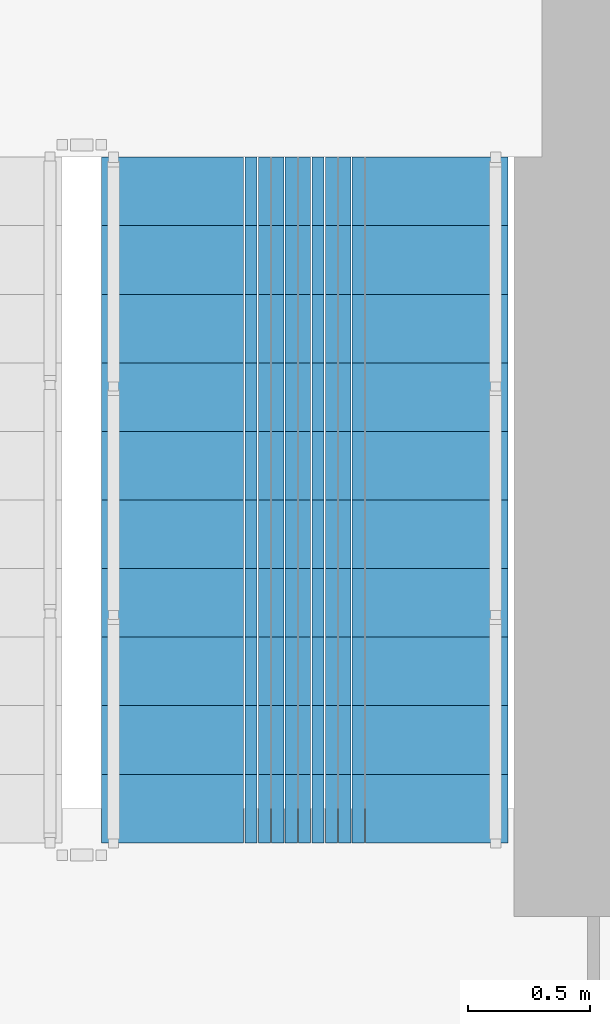
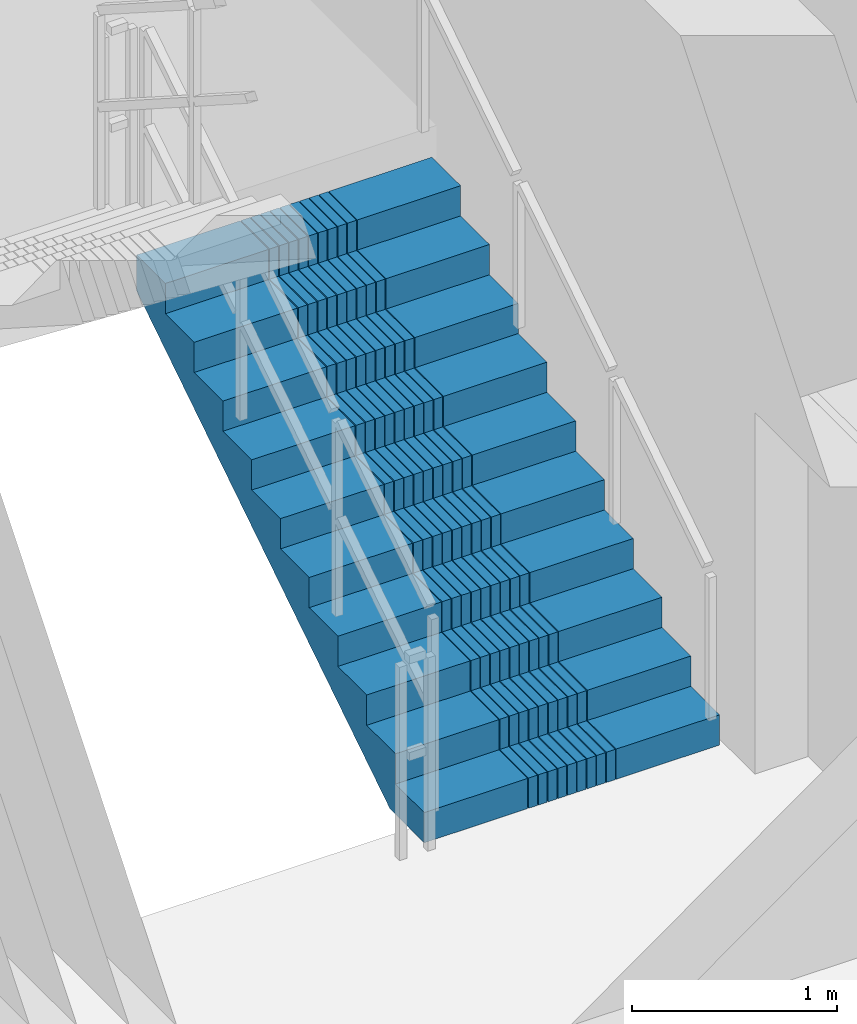
# One storey, part 31 of 35: 1 stair flight, 1 element without a shape of its own.
"""IFC4 building model written with IfcOpenShell, lengths in metres."""

from ifc_helpers import new_model, si_unit, direction, frame, origin, place, context, subcontext, project, spatial, polyline, outline, extrude, material, type_object, element, aggregate, save


model = new_model("IFC4")

# Units and contexts
model_context = context("Model", 3, precision=1e-05, world=origin(), true_north=direction((0.0, 1.0)))
body_context = subcontext(model_context, "Body", "Model", "MODEL_VIEW")
ifc_project = project(units=[si_unit("LENGTHUNIT", "METRE"), si_unit("AREAUNIT", "SQUARE_METRE"), si_unit("VOLUMEUNIT", "CUBIC_METRE"), si_unit("PLANEANGLEUNIT", "RADIAN"), si_unit("MASSUNIT", "GRAM", prefix="KILO")], contexts=[model_context])

# Site, building, storey
site_placement = place(None, origin())
site = spatial("IfcSite", under=ifc_project, at=site_placement, CompositionType="ELEMENT")
building_placement = place(site_placement, origin())
building = spatial("IfcBuilding", under=site, at=building_placement, Name="Saelheon Loggia Tower", CompositionType="ELEMENT")
storey_placement = place(building_placement, frame((0.0, 0.0, 70.39990234375)))
storey = spatial("IfcBuildingStorey", under=building, at=storey_placement, Name="L22", CompositionType="ELEMENT", Elevation=70.39990234375)

# Stair, stair flight
ifc_material = material(Name="Concrete C40/50", Category="concrete")
stair_type = type_object("IfcStairType", Name="Stair_Escape_Core", PredefinedType="HALF_TURN_STAIR", material=ifc_material)
stair_placement = place(storey_placement, origin())
stair = element("IfcStair", 1, at=stair_placement, inside=storey, type_object=stair_type, Name="L22 Special Escape Stair ST2", PredefinedType="HALF_TURN_STAIR")
stair_flight_type = type_object("IfcStairFlightType", Name="StairFlight_Tower_1660", PredefinedType="STRAIGHT", material=ifc_material)
stair_flight_placement = place(storey_placement, frame((43.320068359375, 30.449951171875, 0.0), z_axis=(0.0, 0.0, 1.0), x_axis=(0.0, 1.0, 0.0)))
stair_flight = element("IfcStairFlight", 2, at=stair_flight_placement, type_object=stair_flight_type, Name="ST2 flight 1", NumberOfRisers=11, NumberOfTreads=10, PredefinedType="STRAIGHT", RiserHeight=0.179545455, TreadLength=0.28, context=body_context, shape_type="SweptSolid", body=[
    extrude(outline(polyline([(0.0, 0.0), (0.0, 0.179443359375), (0.280029296875, 0.179443359375), (0.280029296875, 0.359130859375), (0.56005859375, 0.359130859375), (0.56005859375, 0.53857421875), (0.840087890625, 0.53857421875), (0.840087890625, 0.71826171875), (1.1201171875, 0.71826171875), (1.1201171875, 0.897705078125), (1.39990234375, 0.897705078125), (1.39990234375, 1.077392578125), (1.679931640625, 1.077392578125), (1.679931640625, 1.2568359375), (1.9599609375, 1.2568359375), (1.9599609375, 1.436279296875), (2.239990234375, 1.436279296875), (2.239990234375, 1.615966796875), (2.52001953125, 1.615966796875), (2.52001953125, 1.79541015625), (2.800048828125, 1.79541015625), (2.800048828125, 1.97509765625), (2.800048828125, 1.581787109375), (0.333251953125, 0.0), (0.0, 0.0)])), frame((0.0, -0.2490234375, 0.0), z_axis=(0.0, -1.0, 0.0), x_axis=(1.0, 0.0, 0.0)), (0.0, 0.0, 1.0), 0.5810546875),
    extrude(outline(polyline([(0.0, 0.0), (0.0, 0.179443359375), (0.280029296875, 0.179443359375), (0.280029296875, 0.359130859375), (0.56005859375, 0.359130859375), (0.56005859375, 0.53857421875), (0.840087890625, 0.53857421875), (0.840087890625, 0.71826171875), (1.1201171875, 0.71826171875), (1.1201171875, 0.897705078125), (1.39990234375, 0.897705078125), (1.39990234375, 1.077392578125), (1.679931640625, 1.077392578125), (1.679931640625, 1.2568359375), (1.9599609375, 1.2568359375), (1.9599609375, 1.436279296875), (2.239990234375, 1.436279296875), (2.239990234375, 1.615966796875), (2.52001953125, 1.615966796875), (2.52001953125, 1.79541015625), (2.800048828125, 1.79541015625), (2.800048828125, 1.97509765625), (2.800048828125, 1.581787109375), (0.333251953125, 0.0), (0.0, 0.0)])), frame((0.0, -0.194091796875, 0.0), z_axis=(0.0, -1.0, 0.0), x_axis=(1.0, 0.0, 0.0)), (0.0, 0.0, 1.0), 0.0498046875),
    extrude(outline(polyline([(0.0, 0.0), (0.0, 0.179443359375), (0.280029296875, 0.179443359375), (0.280029296875, 0.359130859375), (0.56005859375, 0.359130859375), (0.56005859375, 0.53857421875), (0.840087890625, 0.53857421875), (0.840087890625, 0.71826171875), (1.1201171875, 0.71826171875), (1.1201171875, 0.897705078125), (1.39990234375, 0.897705078125), (1.39990234375, 1.077392578125), (1.679931640625, 1.077392578125), (1.679931640625, 1.2568359375), (1.9599609375, 1.2568359375), (1.9599609375, 1.436279296875), (2.239990234375, 1.436279296875), (2.239990234375, 1.615966796875), (2.52001953125, 1.615966796875), (2.52001953125, 1.79541015625), (2.800048828125, 1.79541015625), (2.800048828125, 1.97509765625), (2.800048828125, 1.581787109375), (0.333251953125, 0.0), (0.0, 0.0)])), frame((0.0, -0.139404296875, 0.0), z_axis=(0.0, -1.0, 0.0), x_axis=(1.0, 0.0, 0.0)), (0.0, 0.0, 1.0), 0.0498046875),
    extrude(outline(polyline([(0.0, 0.0), (0.0, 0.179443359375), (0.280029296875, 0.179443359375), (0.280029296875, 0.359130859375), (0.56005859375, 0.359130859375), (0.56005859375, 0.53857421875), (0.840087890625, 0.53857421875), (0.840087890625, 0.71826171875), (1.1201171875, 0.71826171875), (1.1201171875, 0.897705078125), (1.39990234375, 0.897705078125), (1.39990234375, 1.077392578125), (1.679931640625, 1.077392578125), (1.679931640625, 1.2568359375), (1.9599609375, 1.2568359375), (1.9599609375, 1.436279296875), (2.239990234375, 1.436279296875), (2.239990234375, 1.615966796875), (2.52001953125, 1.615966796875), (2.52001953125, 1.79541015625), (2.800048828125, 1.79541015625), (2.800048828125, 1.97509765625), (2.800048828125, 1.581787109375), (0.333251953125, 0.0), (0.0, 0.0)])), frame((0.0, -0.084716796875, 0.0), z_axis=(0.0, -1.0, 0.0), x_axis=(1.0, 0.0, 0.0)), (0.0, 0.0, 1.0), 0.0498046875),
    extrude(outline(polyline([(0.0, 0.0), (0.0, 0.179443359375), (0.280029296875, 0.179443359375), (0.280029296875, 0.359130859375), (0.56005859375, 0.359130859375), (0.56005859375, 0.53857421875), (0.840087890625, 0.53857421875), (0.840087890625, 0.71826171875), (1.1201171875, 0.71826171875), (1.1201171875, 0.897705078125), (1.39990234375, 0.897705078125), (1.39990234375, 1.077392578125), (1.679931640625, 1.077392578125), (1.679931640625, 1.2568359375), (1.9599609375, 1.2568359375), (1.9599609375, 1.436279296875), (2.239990234375, 1.436279296875), (2.239990234375, 1.615966796875), (2.52001953125, 1.615966796875), (2.52001953125, 1.79541015625), (2.800048828125, 1.79541015625), (2.800048828125, 1.97509765625), (2.800048828125, 1.581787109375), (0.333251953125, 0.0), (0.0, 0.0)])), frame((0.0, -0.02978515625, 0.0), z_axis=(0.0, -1.0, 0.0), x_axis=(1.0, 0.0, 0.0)), (0.0, 0.0, 1.0), 0.0498046875),
    extrude(outline(polyline([(0.0, 0.0), (0.0, 0.179443359375), (0.280029296875, 0.179443359375), (0.280029296875, 0.359130859375), (0.56005859375, 0.359130859375), (0.56005859375, 0.53857421875), (0.840087890625, 0.53857421875), (0.840087890625, 0.71826171875), (1.1201171875, 0.71826171875), (1.1201171875, 0.897705078125), (1.39990234375, 0.897705078125), (1.39990234375, 1.077392578125), (1.679931640625, 1.077392578125), (1.679931640625, 1.2568359375), (1.9599609375, 1.2568359375), (1.9599609375, 1.436279296875), (2.239990234375, 1.436279296875), (2.239990234375, 1.615966796875), (2.52001953125, 1.615966796875), (2.52001953125, 1.79541015625), (2.800048828125, 1.79541015625), (2.800048828125, 1.97509765625), (2.800048828125, 1.581787109375), (0.333251953125, 0.0), (0.0, 0.0)])), frame((0.0, 0.02490234375, 0.0), z_axis=(0.0, -1.0, 0.0), x_axis=(1.0, 0.0, 0.0)), (0.0, 0.0, 1.0), 0.0498046875),
    extrude(outline(polyline([(0.0, 0.0), (0.0, 0.179443359375), (0.280029296875, 0.179443359375), (0.280029296875, 0.359130859375), (0.56005859375, 0.359130859375), (0.56005859375, 0.53857421875), (0.840087890625, 0.53857421875), (0.840087890625, 0.71826171875), (1.1201171875, 0.71826171875), (1.1201171875, 0.897705078125), (1.39990234375, 0.897705078125), (1.39990234375, 1.077392578125), (1.679931640625, 1.077392578125), (1.679931640625, 1.2568359375), (1.9599609375, 1.2568359375), (1.9599609375, 1.436279296875), (2.239990234375, 1.436279296875), (2.239990234375, 1.615966796875), (2.52001953125, 1.615966796875), (2.52001953125, 1.79541015625), (2.800048828125, 1.79541015625), (2.800048828125, 1.97509765625), (2.800048828125, 1.581787109375), (0.333251953125, 0.0), (0.0, 0.0)])), frame((0.0, 0.07958984375, 0.0), z_axis=(0.0, -1.0, 0.0), x_axis=(1.0, 0.0, 0.0)), (0.0, 0.0, 1.0), 0.0498046875),
    extrude(outline(polyline([(0.0, 0.0), (0.0, 0.179443359375), (0.280029296875, 0.179443359375), (0.280029296875, 0.359130859375), (0.56005859375, 0.359130859375), (0.56005859375, 0.53857421875), (0.840087890625, 0.53857421875), (0.840087890625, 0.71826171875), (1.1201171875, 0.71826171875), (1.1201171875, 0.897705078125), (1.39990234375, 0.897705078125), (1.39990234375, 1.077392578125), (1.679931640625, 1.077392578125), (1.679931640625, 1.2568359375), (1.9599609375, 1.2568359375), (1.9599609375, 1.436279296875), (2.239990234375, 1.436279296875), (2.239990234375, 1.615966796875), (2.52001953125, 1.615966796875), (2.52001953125, 1.79541015625), (2.800048828125, 1.79541015625), (2.800048828125, 1.97509765625), (2.800048828125, 1.581787109375), (0.333251953125, 0.0), (0.0, 0.0)])), frame((0.0, 0.134521484375, 0.0), z_axis=(0.0, -1.0, 0.0), x_axis=(1.0, 0.0, 0.0)), (0.0, 0.0, 1.0), 0.0498046875),
    extrude(outline(polyline([(0.0, 0.0), (0.0, 0.179443359375), (0.280029296875, 0.179443359375), (0.280029296875, 0.359130859375), (0.56005859375, 0.359130859375), (0.56005859375, 0.53857421875), (0.840087890625, 0.53857421875), (0.840087890625, 0.71826171875), (1.1201171875, 0.71826171875), (1.1201171875, 0.897705078125), (1.39990234375, 0.897705078125), (1.39990234375, 1.077392578125), (1.679931640625, 1.077392578125), (1.679931640625, 1.2568359375), (1.9599609375, 1.2568359375), (1.9599609375, 1.436279296875), (2.239990234375, 1.436279296875), (2.239990234375, 1.615966796875), (2.52001953125, 1.615966796875), (2.52001953125, 1.79541015625), (2.800048828125, 1.79541015625), (2.800048828125, 1.97509765625), (2.800048828125, 1.581787109375), (0.333251953125, 0.0), (0.0, 0.0)])), frame((0.0, 0.189208984375, 0.0), z_axis=(0.0, -1.0, 0.0), x_axis=(1.0, 0.0, 0.0)), (0.0, 0.0, 1.0), 0.0498046875),
    extrude(outline(polyline([(0.0, 0.0), (0.0, 0.179443359375), (0.280029296875, 0.179443359375), (0.280029296875, 0.359130859375), (0.56005859375, 0.359130859375), (0.56005859375, 0.53857421875), (0.840087890625, 0.53857421875), (0.840087890625, 0.71826171875), (1.1201171875, 0.71826171875), (1.1201171875, 0.897705078125), (1.39990234375, 0.897705078125), (1.39990234375, 1.077392578125), (1.679931640625, 1.077392578125), (1.679931640625, 1.2568359375), (1.9599609375, 1.2568359375), (1.9599609375, 1.436279296875), (2.239990234375, 1.436279296875), (2.239990234375, 1.615966796875), (2.52001953125, 1.615966796875), (2.52001953125, 1.79541015625), (2.800048828125, 1.79541015625), (2.800048828125, 1.97509765625), (2.800048828125, 1.581787109375), (0.333251953125, 0.0), (0.0, 0.0)])), frame((0.0, 0.243896484375, 0.0), z_axis=(0.0, -1.0, 0.0), x_axis=(1.0, 0.0, 0.0)), (0.0, 0.0, 1.0), 0.0498046875),
    extrude(outline(polyline([(0.0, 0.0), (0.0, 0.179443359375), (0.280029296875, 0.179443359375), (0.280029296875, 0.359130859375), (0.56005859375, 0.359130859375), (0.56005859375, 0.53857421875), (0.840087890625, 0.53857421875), (0.840087890625, 0.71826171875), (1.1201171875, 0.71826171875), (1.1201171875, 0.897705078125), (1.39990234375, 0.897705078125), (1.39990234375, 1.077392578125), (1.679931640625, 1.077392578125), (1.679931640625, 1.2568359375), (1.9599609375, 1.2568359375), (1.9599609375, 1.436279296875), (2.239990234375, 1.436279296875), (2.239990234375, 1.615966796875), (2.52001953125, 1.615966796875), (2.52001953125, 1.79541015625), (2.800048828125, 1.79541015625), (2.800048828125, 1.97509765625), (2.800048828125, 1.581787109375), (0.333251953125, 0.0), (0.0, 0.0)])), frame((0.0, 0.830078125, 0.0), z_axis=(0.0, -1.0, 0.0), x_axis=(1.0, 0.0, 0.0)), (0.0, 0.0, 1.0), 0.5810546875),
])
aggregate(stair, [stair_flight])

save(model, "model.ifc")
